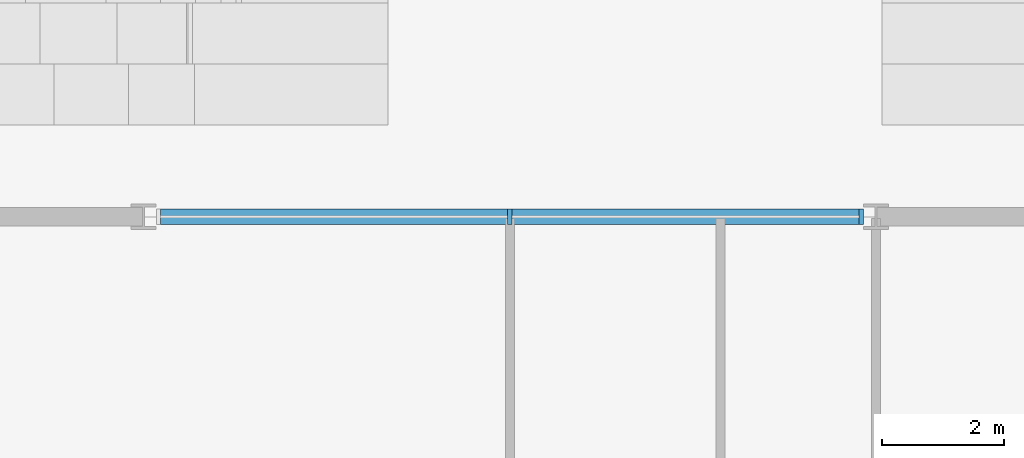
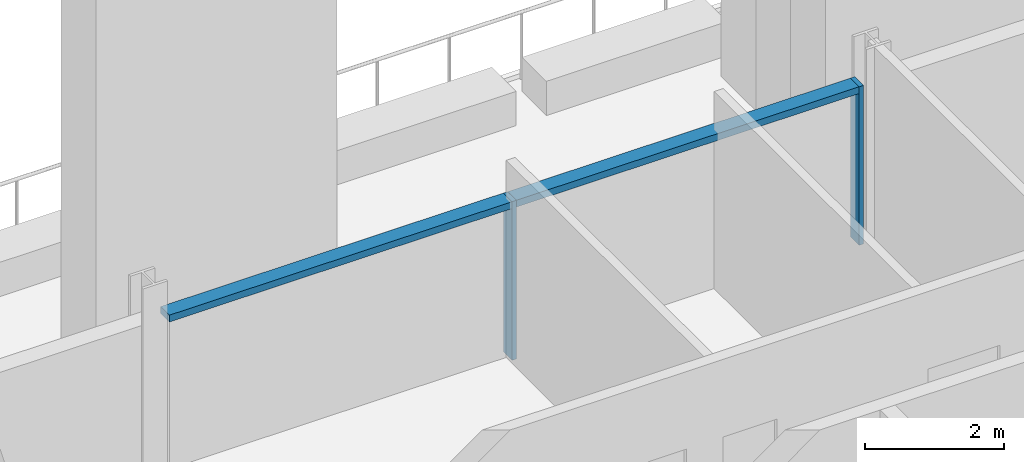
# One storey, part 6 of 30: 4 members, 1 element without a shape of its own.
"""IFC4 building model written with IfcOpenShell, lengths in metres."""

import ifcopenshell
import ifcopenshell.guid

model = None  # the IFC model being written
_history = None  # IfcOwnerHistory: only IFC2X3 demands one
_inside = {}  # id of a spatial element -> (the spatial element, [elements in it])
_under = {}  # id of a project, library or spatial element -> (it, [spatial elements below it])
_declared = {}  # id of a project -> (the project, [libraries it declares])
_typed = {}  # id of a type object -> (the type object, [elements of that type])
_made_of = {}  # id of a material, layer set ... -> (it, [elements and type objects made of it])


def new_model(schema):
    """Start an empty IFC model of exactly this schema.

    Asked for "IFC4X3", IfcOpenShell would pick the latest addendum, in which some entities
    have other attributes; the version numbers below select the first issue.
    IFC2X3 requires an IfcOwnerHistory on every rooted entity: one is made here for all.
    """
    global model, _history
    if schema == "IFC4X3":
        model = ifcopenshell.file(schema_version=(4, 3, 0, 0))
    else:
        model = ifcopenshell.file(schema=schema)
    _inside.clear()
    _under.clear()
    _declared.clear()
    _typed.clear()
    _made_of.clear()
    _history = None
    if model.schema == "IFC2X3":
        org = make("IfcOrganization", Name="unknown")
        user = make(
            "IfcPersonAndOrganization",
            ThePerson=make("IfcPerson", FamilyName="unknown"),
            TheOrganization=org,
        )
        app = make(
            "IfcApplication",
            ApplicationDeveloper=org,
            Version="unknown",
            ApplicationFullName="unknown",
            ApplicationIdentifier="unknown",
        )
        _history = make(
            "IfcOwnerHistory",
            OwningUser=user,
            OwningApplication=app,
            ChangeAction="ADDED",
            CreationDate=0,
        )
    return model


def make(cls, **values):
    """One entity of the class cls with the attributes given. An attribute that is None is left unset."""
    return model.create_entity(
        cls, **{name: value for name, value in values.items() if value is not None}
    )


def rooted(cls, **values):
    """An entity with a GlobalId (a new one), such as an element, a storey or a relation."""
    return make(cls, GlobalId=ifcopenshell.guid.new(), OwnerHistory=_history, **values)


def si_unit(unit_type, name, prefix=None):
    """IfcSIUnit, for example si_unit("LENGTHUNIT", "METRE", prefix="MILLI")."""
    return make("IfcSIUnit", UnitType=unit_type, Prefix=prefix, Name=name)


def assignment(units):
    """IfcUnitAssignment: the units of a project."""
    return None if units is None else make("IfcUnitAssignment", Units=units)


def point(xyz):
    """IfcCartesianPoint."""
    return None if xyz is None else make("IfcCartesianPoint", Coordinates=xyz)


def direction(xyz):
    """IfcDirection."""
    return None if xyz is None else make("IfcDirection", DirectionRatios=xyz)


def frame(location, z_axis=None, x_axis=None):
    """IfcAxis2Placement3D, a coordinate frame: its origin and axes. An axis left out is left unset."""
    return make(
        "IfcAxis2Placement3D",
        Location=point(location),
        Axis=direction(z_axis),
        RefDirection=direction(x_axis),
    )


def frame_2d(location, x_axis=None):
    """IfcAxis2Placement2D, a coordinate frame in the plane: its origin and x axis."""
    return make(
        "IfcAxis2Placement2D", Location=point(location), RefDirection=direction(x_axis)
    )


def origin():
    """The frame at (0, 0, 0) with its axes left unset."""
    return frame((0.0, 0.0, 0.0))


def origin_2d():
    """The frame at (0, 0) in the plane with its x axis left unset."""
    return frame_2d((0.0, 0.0))


def place(relative_to, where):
    """IfcLocalPlacement: puts the frame where relative to a parent placement (None: the world)."""
    return make(
        "IfcLocalPlacement", PlacementRelTo=relative_to, RelativePlacement=where
    )


def context(
    kind, dimensions, precision=None, world=None, true_north=None, identifier=None
):
    """IfcGeometricRepresentationContext, for example the 3D "Model" context."""
    return make(
        "IfcGeometricRepresentationContext",
        ContextIdentifier=identifier,
        ContextType=kind,
        CoordinateSpaceDimension=dimensions,
        Precision=precision,
        WorldCoordinateSystem=world,
        TrueNorth=true_north,
    )


def subcontext(parent, identifier, kind, view, scale=None):
    """IfcGeometricRepresentationSubContext, for example "Body" below "Model"."""
    return make(
        "IfcGeometricRepresentationSubContext",
        ContextIdentifier=identifier,
        ContextType=kind,
        ParentContext=parent,
        TargetScale=scale,
        TargetView=view,
    )


def project(units=None, contexts=None):
    """IfcProject with its units and contexts."""
    return rooted(
        "IfcProject",
        Name="project",
        RepresentationContexts=contexts,
        UnitsInContext=assignment(units),
    )


def spatial(cls, under=None, at=None, **own):
    """A site, building, storey or space (cls), placed at a placement, below another one or the project."""
    s = rooted(cls, ObjectPlacement=at, **own)
    if under is not None:
        _under.setdefault(under.id(), (under, []))[1].append(s)
    return s


def profile(cls, at=None, kind="AREA", **sizes):
    """A parametric profile (cls). Its sizes go by their IFC names, for example OverallWidth=200.0."""
    return make(cls, ProfileType=kind, Position=at, **sizes)


def rectangle(**sizes):
    """IfcRectangleProfileDef."""
    return profile("IfcRectangleProfileDef", **sizes)


def extrude(swept, where, along, depth):
    """IfcExtrudedAreaSolid: the profile swept, set in the frame where, extruded along a direction by depth."""
    return make(
        "IfcExtrudedAreaSolid",
        SweptArea=swept,
        Position=where,
        ExtrudedDirection=direction(along),
        Depth=depth,
    )


def shape(context_of_items, identifier, shape_type, items):
    """IfcShapeRepresentation: the items that make up one representation, for example the "Body"."""
    return make(
        "IfcShapeRepresentation",
        ContextOfItems=context_of_items,
        RepresentationIdentifier=identifier,
        RepresentationType=shape_type,
        Items=items,
    )


def material(Name=None, Category=None):
    """IfcMaterial."""
    return make("IfcMaterial", Name=Name, Category=Category)


def material_profile(
    of_material, cross_section, Name=None, Category=None, Priority=None
):
    """IfcMaterialProfile: a cross section and its material."""
    return make(
        "IfcMaterialProfile",
        Name=Name,
        Material=of_material,
        Profile=cross_section,
        Priority=Priority,
        Category=Category,
    )


def profile_set(profiles, Name=None, composite=None):
    """IfcMaterialProfileSet."""
    return make(
        "IfcMaterialProfileSet",
        Name=Name,
        MaterialProfiles=profiles,
        CompositeProfile=composite,
    )


def made_of(thing, what):
    """Note that an element or type object is made of a material, layer set ...; save() writes the relation."""
    if what is not None:
        _made_of.setdefault(what.id(), (what, []))[1].append(thing)
    return thing


def type_object(cls, material=None, **own):
    """A type object (cls), such as IfcWallType, which elements share."""
    return made_of(rooted(cls, **own), material)


def element(
    cls,
    number,
    at=None,
    inside=None,
    cuts=None,
    type_object=None,
    material=None,
    context=None,
    identifier="Body",
    shape_type=None,
    held_by="IfcProductDefinitionShape",
    body=None,
    shapes=None,
    **own,
):
    """One element of the class cls, such as IfcWall. Its Tag is "e" and its number.

    at: its placement. inside: the storey or other place that contains it. cuts: it is an
    opening in that element (IfcRelVoidsElement). A single representation is given by context,
    identifier, shape_type and body (its items); several are given by shapes. held_by: the class
    of the entity that holds the representations. save() writes the other relations.
    """
    e = rooted(cls, Tag="e%d" % number, ObjectPlacement=at, **own)
    if body is not None:
        shapes = [shape(context, identifier, shape_type, body)]
    if shapes is not None:
        e.Representation = make(held_by, Representations=shapes)
    if inside is not None:
        _inside.setdefault(inside.id(), (inside, []))[1].append(e)
    if cuts is not None:
        rooted(
            "IfcRelVoidsElement", RelatingBuildingElement=cuts, RelatedOpeningElement=e
        )
    if type_object is not None:
        _typed.setdefault(type_object.id(), (type_object, []))[1].append(e)
    return made_of(e, material)


def aggregate(whole, parts):
    """IfcRelAggregates: a whole, such as a stair, and the parts it consists of."""
    return rooted("IfcRelAggregates", RelatingObject=whole, RelatedObjects=parts)


def save(model, path):
    """Write the relations noted so far, then the file.

    IfcRelAggregates (storeys below a building ...), IfcRelContainedInSpatialStructure (elements
    in a storey), IfcRelDefinesByType, IfcRelAssociatesMaterial and IfcRelDeclares: one each for
    every whole, place, type object, material and project.
    """
    for whole, parts in _under.values():
        aggregate(whole, parts)
    for where, things in _inside.values():
        rooted(
            "IfcRelContainedInSpatialStructure",
            RelatedElements=things,
            RelatingStructure=where,
        )
    for kind, things in _typed.values():
        rooted("IfcRelDefinesByType", RelatedObjects=things, RelatingType=kind)
    for what, things in _made_of.values():
        rooted("IfcRelAssociatesMaterial", RelatedObjects=things, RelatingMaterial=what)
    for by, libraries in _declared.values():
        rooted("IfcRelDeclares", RelatingContext=by, RelatedDefinitions=libraries)
    model.write(path)


model = new_model("IFC4")

# Units and contexts
model_context = context("Model", 3, precision=1e-05, world=origin(), true_north=direction((0.0, 1.0)))
body_context = subcontext(model_context, "Body", "Model", "MODEL_VIEW")
ifc_project = project(units=[si_unit("LENGTHUNIT", "METRE"), si_unit("AREAUNIT", "SQUARE_METRE"), si_unit("VOLUMEUNIT", "CUBIC_METRE"), si_unit("PLANEANGLEUNIT", "RADIAN"), si_unit("MASSUNIT", "GRAM", prefix="KILO")], contexts=[model_context])

# Site, building, storey
site_placement = place(None, origin())
site = spatial("IfcSite", under=ifc_project, at=site_placement, CompositionType="ELEMENT")
building_placement = place(site_placement, origin())
building = spatial("IfcBuilding", under=site, at=building_placement, Name="Mahtab Terrace Research Tower", CompositionType="ELEMENT")
storey_placement = place(building_placement, frame((0.0, 0.0, 159.199951171875)))
storey = spatial("IfcBuildingStorey", under=building, at=storey_placement, Name="L37", CompositionType="ELEMENT", Elevation=159.199951171875)

# Curtain wall, members
ifc_material_1 = material(Name="Sky lounge full-height curtain wall")
curtain_wall_type = type_object("IfcCurtainWallType", Name="Sky lounge full-height curtain wall", PredefinedType="NOTDEFINED", material=ifc_material_1)
curtain_wall_placement = place(storey_placement, origin())
curtain_wall = element("IfcCurtainWall", 1, at=curtain_wall_placement, inside=storey, type_object=curtain_wall_type, Name="EN.L37.3.6", PredefinedType="NOTDEFINED")
ifc_material_2 = material(Name="Natural anodised aluminium", Category="aluminium")
ifc_material_profile_1 = material_profile(ifc_material_2, rectangle(XDim=0.25, YDim=0.070068359375, at=origin_2d()), Name="MULLION 70x250")
ifc_profile_set_1 = profile_set([ifc_material_profile_1], Name="Natural anodised aluminium")
member_type_1 = type_object("IfcMemberType", Name="Sky lounge full-height curtain wall mullion", PredefinedType="MULLION", material=ifc_profile_set_1)
member_1_placement = place(storey_placement, frame((5.757080078125, 23.0, 0.0), z_axis=(0.0, 0.0, 1.0), x_axis=(0.0, -1.0, 0.0)))
member_1 = element("IfcMember", 2, at=member_1_placement, type_object=member_type_1, Name="CWS-5 mullion 1", PredefinedType="MULLION", context=body_context, shape_type="SweptSolid", body=[
    extrude(rectangle(XDim=0.25, YDim=0.070068359375, at=origin_2d()), origin(), (0.0, 0.0, 1.0), 2.78173828125),
])
member_2_placement = place(storey_placement, frame((0.0, 23.0, 0.0), z_axis=(0.0, 0.0, 1.0), x_axis=(0.0, -1.0, 0.0)))
member_2 = element("IfcMember", 3, at=member_2_placement, type_object=member_type_1, Name="CWS-5 mullion 2", PredefinedType="MULLION", context=body_context, shape_type="SweptSolid", body=[
    extrude(rectangle(XDim=0.25, YDim=0.070068359375, at=origin_2d()), origin(), (0.0, 0.0, 1.0), 2.78173828125),
])
ifc_material_profile_2 = material_profile(ifc_material_2, rectangle(XDim=0.25, YDim=0.1201171875, at=origin_2d()), Name="TRANSOM 120x250")
ifc_profile_set_2 = profile_set([ifc_material_profile_2], Name="Natural anodised aluminium")
member_type_2 = type_object("IfcMemberType", Name="Sky lounge full-height curtain wall transom", PredefinedType="USERDEFINED", material=ifc_profile_set_2)
member_3_placement = place(storey_placement, frame((5.721923828125, 23.0, 2.721923828125), z_axis=(-1.0, 0.0, 0.0), x_axis=(0.0, -1.0, 0.0)))
member_3 = element("IfcMember", 4, at=member_3_placement, type_object=member_type_2, Name="CWS-5 transom 1", ObjectType="TRANSOM", PredefinedType="USERDEFINED", context=body_context, shape_type="SweptSolid", body=[
    extrude(rectangle(XDim=0.25, YDim=0.1201171875, at=origin_2d()), origin(), (0.0, 0.0, 1.0), 5.68701171875),
])
member_4_placement = place(storey_placement, frame((-0.034912109375, 23.0, 2.721923828125), z_axis=(-1.0, 0.0, 0.0), x_axis=(0.0, -1.0, 0.0)))
member_4 = element("IfcMember", 5, at=member_4_placement, type_object=member_type_2, Name="CWS-5 transom 2", ObjectType="TRANSOM", PredefinedType="USERDEFINED", context=body_context, shape_type="SweptSolid", body=[
    extrude(rectangle(XDim=0.25, YDim=0.1201171875, at=origin_2d()), origin(), (0.0, 0.0, 1.0), 5.68701171875),
])
aggregate(curtain_wall, [member_1, member_2, member_3, member_4])

save(model, "model.ifc")
